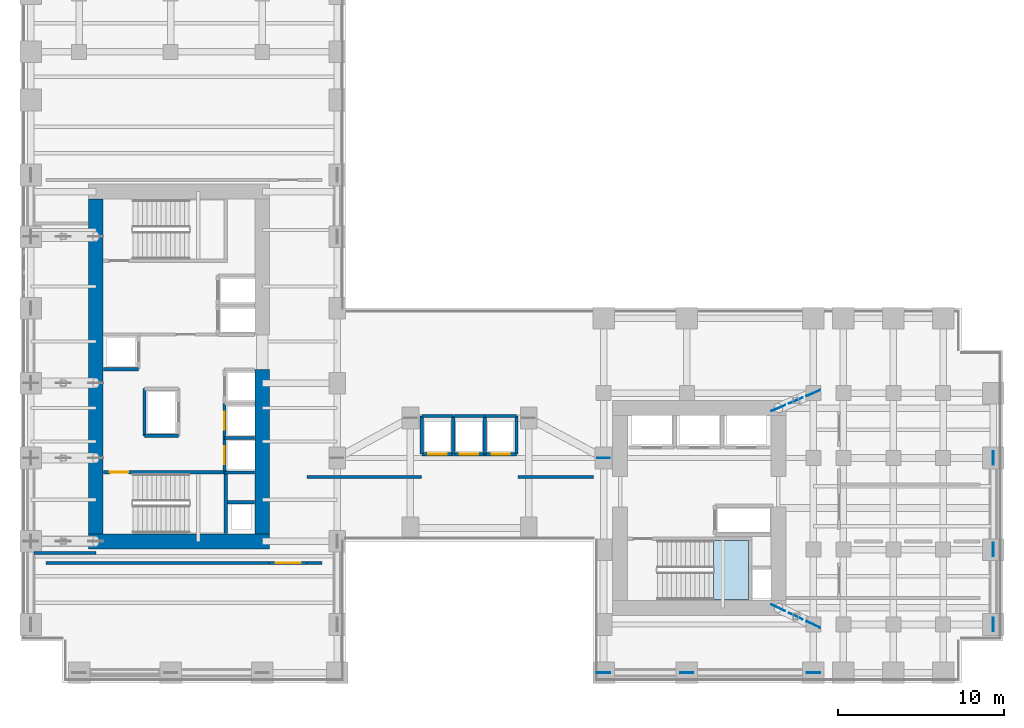
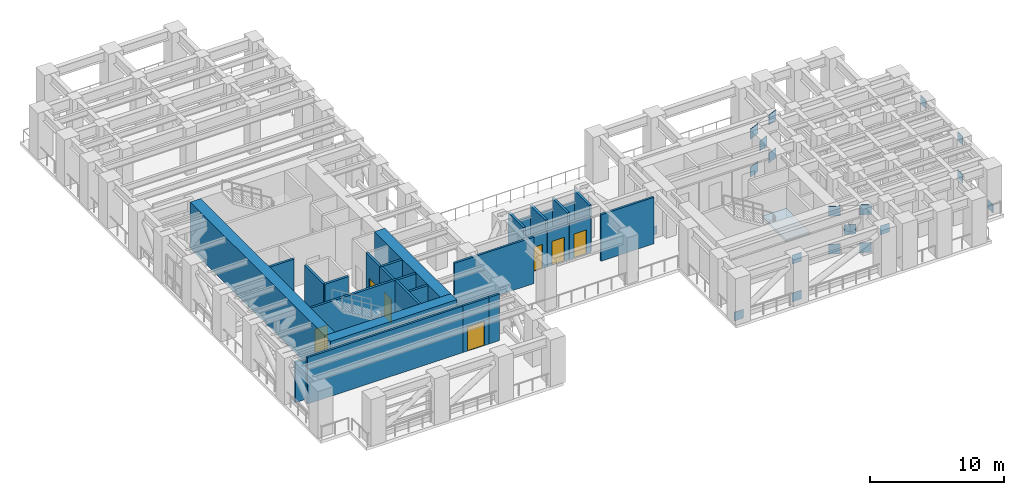
# One storey, part 9 of 16: 29 walls, 19 plates, 7 doors, 1 slab, 7 openings, 1 element without a shape of its own.
"""IFC4 building model written with IfcOpenShell, lengths in metres."""

import ifcopenshell
import ifcopenshell.guid

model = None  # the IFC model being written
_history = None  # IfcOwnerHistory: only IFC2X3 demands one
_inside = {}  # id of a spatial element -> (the spatial element, [elements in it])
_under = {}  # id of a project, library or spatial element -> (it, [spatial elements below it])
_declared = {}  # id of a project -> (the project, [libraries it declares])
_typed = {}  # id of a type object -> (the type object, [elements of that type])
_made_of = {}  # id of a material, layer set ... -> (it, [elements and type objects made of it])


def new_model(schema):
    """Start an empty IFC model of exactly this schema.

    Asked for "IFC4X3", IfcOpenShell would pick the latest addendum, in which some entities
    have other attributes; the version numbers below select the first issue.
    IFC2X3 requires an IfcOwnerHistory on every rooted entity: one is made here for all.
    """
    global model, _history
    if schema == "IFC4X3":
        model = ifcopenshell.file(schema_version=(4, 3, 0, 0))
    else:
        model = ifcopenshell.file(schema=schema)
    _inside.clear()
    _under.clear()
    _declared.clear()
    _typed.clear()
    _made_of.clear()
    _history = None
    if model.schema == "IFC2X3":
        org = make("IfcOrganization", Name="unknown")
        user = make(
            "IfcPersonAndOrganization",
            ThePerson=make("IfcPerson", FamilyName="unknown"),
            TheOrganization=org,
        )
        app = make(
            "IfcApplication",
            ApplicationDeveloper=org,
            Version="unknown",
            ApplicationFullName="unknown",
            ApplicationIdentifier="unknown",
        )
        _history = make(
            "IfcOwnerHistory",
            OwningUser=user,
            OwningApplication=app,
            ChangeAction="ADDED",
            CreationDate=0,
        )
    return model


def make(cls, **values):
    """One entity of the class cls with the attributes given. An attribute that is None is left unset."""
    return model.create_entity(
        cls, **{name: value for name, value in values.items() if value is not None}
    )


def rooted(cls, **values):
    """An entity with a GlobalId (a new one), such as an element, a storey or a relation."""
    return make(cls, GlobalId=ifcopenshell.guid.new(), OwnerHistory=_history, **values)


def si_unit(unit_type, name, prefix=None):
    """IfcSIUnit, for example si_unit("LENGTHUNIT", "METRE", prefix="MILLI")."""
    return make("IfcSIUnit", UnitType=unit_type, Prefix=prefix, Name=name)


def assignment(units):
    """IfcUnitAssignment: the units of a project."""
    return None if units is None else make("IfcUnitAssignment", Units=units)


def point(xyz):
    """IfcCartesianPoint."""
    return None if xyz is None else make("IfcCartesianPoint", Coordinates=xyz)


def direction(xyz):
    """IfcDirection."""
    return None if xyz is None else make("IfcDirection", DirectionRatios=xyz)


def frame(location, z_axis=None, x_axis=None):
    """IfcAxis2Placement3D, a coordinate frame: its origin and axes. An axis left out is left unset."""
    return make(
        "IfcAxis2Placement3D",
        Location=point(location),
        Axis=direction(z_axis),
        RefDirection=direction(x_axis),
    )


def frame_2d(location, x_axis=None):
    """IfcAxis2Placement2D, a coordinate frame in the plane: its origin and x axis."""
    return make(
        "IfcAxis2Placement2D", Location=point(location), RefDirection=direction(x_axis)
    )


def origin():
    """The frame at (0, 0, 0) with its axes left unset."""
    return frame((0.0, 0.0, 0.0))


def origin_2d():
    """The frame at (0, 0) in the plane with its x axis left unset."""
    return frame_2d((0.0, 0.0))


def place(relative_to, where):
    """IfcLocalPlacement: puts the frame where relative to a parent placement (None: the world)."""
    return make(
        "IfcLocalPlacement", PlacementRelTo=relative_to, RelativePlacement=where
    )


def context(
    kind, dimensions, precision=None, world=None, true_north=None, identifier=None
):
    """IfcGeometricRepresentationContext, for example the 3D "Model" context."""
    return make(
        "IfcGeometricRepresentationContext",
        ContextIdentifier=identifier,
        ContextType=kind,
        CoordinateSpaceDimension=dimensions,
        Precision=precision,
        WorldCoordinateSystem=world,
        TrueNorth=true_north,
    )


def subcontext(parent, identifier, kind, view, scale=None):
    """IfcGeometricRepresentationSubContext, for example "Body" below "Model"."""
    return make(
        "IfcGeometricRepresentationSubContext",
        ContextIdentifier=identifier,
        ContextType=kind,
        ParentContext=parent,
        TargetScale=scale,
        TargetView=view,
    )


def project(units=None, contexts=None):
    """IfcProject with its units and contexts."""
    return rooted(
        "IfcProject",
        Name="project",
        RepresentationContexts=contexts,
        UnitsInContext=assignment(units),
    )


def spatial(cls, under=None, at=None, **own):
    """A site, building, storey or space (cls), placed at a placement, below another one or the project."""
    s = rooted(cls, ObjectPlacement=at, **own)
    if under is not None:
        _under.setdefault(under.id(), (under, []))[1].append(s)
    return s


def polyline(points):
    """IfcPolyline through the points."""
    return make("IfcPolyline", Points=[point(p) for p in points])


def profile(cls, at=None, kind="AREA", **sizes):
    """A parametric profile (cls). Its sizes go by their IFC names, for example OverallWidth=200.0."""
    return make(cls, ProfileType=kind, Position=at, **sizes)


def rectangle(**sizes):
    """IfcRectangleProfileDef."""
    return profile("IfcRectangleProfileDef", **sizes)


def outline(outer, holes=None, kind="AREA"):
    """IfcArbitraryClosedProfileDef: a profile drawn as a closed curve; with holes, ...WithVoids."""
    if holes is None:
        return make("IfcArbitraryClosedProfileDef", ProfileType=kind, OuterCurve=outer)
    return make(
        "IfcArbitraryProfileDefWithVoids",
        ProfileType=kind,
        OuterCurve=outer,
        InnerCurves=holes,
    )


def extrude(swept, where, along, depth):
    """IfcExtrudedAreaSolid: the profile swept, set in the frame where, extruded along a direction by depth."""
    return make(
        "IfcExtrudedAreaSolid",
        SweptArea=swept,
        Position=where,
        ExtrudedDirection=direction(along),
        Depth=depth,
    )


def shape(context_of_items, identifier, shape_type, items):
    """IfcShapeRepresentation: the items that make up one representation, for example the "Body"."""
    return make(
        "IfcShapeRepresentation",
        ContextOfItems=context_of_items,
        RepresentationIdentifier=identifier,
        RepresentationType=shape_type,
        Items=items,
    )


def source(mapping_origin, context_of_items, identifier, shape_type, items):
    """IfcRepresentationMap: a shape defined once, which mapped items show again and again."""
    return make(
        "IfcRepresentationMap",
        MappingOrigin=mapping_origin,
        MappedRepresentation=shape(context_of_items, identifier, shape_type, items),
    )


def transform(
    local_origin,
    x_axis=None,
    y_axis=None,
    z_axis=None,
    scale=None,
    scale2=None,
    scale3=None,
    uniform=True,
):
    """IfcCartesianTransformationOperator3D, or its non-uniform kind. x_axis, y_axis, z_axis: its Axis1, 2, 3."""
    if uniform:
        return make(
            "IfcCartesianTransformationOperator3D",
            Axis1=direction(x_axis),
            Axis2=direction(y_axis),
            LocalOrigin=point(local_origin),
            Scale=scale,
            Axis3=direction(z_axis),
        )
    return make(
        "IfcCartesianTransformationOperator3DnonUniform",
        Axis1=direction(x_axis),
        Axis2=direction(y_axis),
        LocalOrigin=point(local_origin),
        Scale=scale,
        Axis3=direction(z_axis),
        Scale2=scale2,
        Scale3=scale3,
    )


def mapped(mapping_source, mapping_target):
    """IfcMappedItem: shows the shape of a source again, moved by a transform."""
    return make(
        "IfcMappedItem", MappingSource=mapping_source, MappingTarget=mapping_target
    )


def material(Name=None, Category=None):
    """IfcMaterial."""
    return make("IfcMaterial", Name=Name, Category=Category)


def layer(
    of_material, thickness, ventilated=None, Name=None, Category=None, Priority=None
):
    """IfcMaterialLayer: one layer of a wall or slab, of a material (None: an air gap)."""
    return make(
        "IfcMaterialLayer",
        Material=of_material,
        LayerThickness=thickness,
        IsVentilated=ventilated,
        Name=Name,
        Category=Category,
        Priority=Priority,
    )


def layer_set(layers, Name=None):
    """IfcMaterialLayerSet."""
    return make("IfcMaterialLayerSet", MaterialLayers=layers, LayerSetName=Name)


def made_of(thing, what):
    """Note that an element or type object is made of a material, layer set ...; save() writes the relation."""
    if what is not None:
        _made_of.setdefault(what.id(), (what, []))[1].append(thing)
    return thing


def type_object(cls, material=None, **own):
    """A type object (cls), such as IfcWallType, which elements share."""
    return made_of(rooted(cls, **own), material)


def element(
    cls,
    number,
    at=None,
    inside=None,
    cuts=None,
    type_object=None,
    material=None,
    context=None,
    identifier="Body",
    shape_type=None,
    held_by="IfcProductDefinitionShape",
    body=None,
    shapes=None,
    **own,
):
    """One element of the class cls, such as IfcWall. Its Tag is "e" and its number.

    at: its placement. inside: the storey or other place that contains it. cuts: it is an
    opening in that element (IfcRelVoidsElement). A single representation is given by context,
    identifier, shape_type and body (its items); several are given by shapes. held_by: the class
    of the entity that holds the representations. save() writes the other relations.
    """
    e = rooted(cls, Tag="e%d" % number, ObjectPlacement=at, **own)
    if body is not None:
        shapes = [shape(context, identifier, shape_type, body)]
    if shapes is not None:
        e.Representation = make(held_by, Representations=shapes)
    if inside is not None:
        _inside.setdefault(inside.id(), (inside, []))[1].append(e)
    if cuts is not None:
        rooted(
            "IfcRelVoidsElement", RelatingBuildingElement=cuts, RelatedOpeningElement=e
        )
    if type_object is not None:
        _typed.setdefault(type_object.id(), (type_object, []))[1].append(e)
    return made_of(e, material)


def fill(opening, filler):
    """IfcRelFillsElement: the door or window that sits in an opening."""
    return rooted(
        "IfcRelFillsElement",
        RelatingOpeningElement=opening,
        RelatedBuildingElement=filler,
    )


def aggregate(whole, parts):
    """IfcRelAggregates: a whole, such as a stair, and the parts it consists of."""
    return rooted("IfcRelAggregates", RelatingObject=whole, RelatedObjects=parts)


def save(model, path):
    """Write the relations noted so far, then the file.

    IfcRelAggregates (storeys below a building ...), IfcRelContainedInSpatialStructure (elements
    in a storey), IfcRelDefinesByType, IfcRelAssociatesMaterial and IfcRelDeclares: one each for
    every whole, place, type object, material and project.
    """
    for whole, parts in _under.values():
        aggregate(whole, parts)
    for where, things in _inside.values():
        rooted(
            "IfcRelContainedInSpatialStructure",
            RelatedElements=things,
            RelatingStructure=where,
        )
    for kind, things in _typed.values():
        rooted("IfcRelDefinesByType", RelatedObjects=things, RelatingType=kind)
    for what, things in _made_of.values():
        rooted("IfcRelAssociatesMaterial", RelatedObjects=things, RelatingMaterial=what)
    for by, libraries in _declared.values():
        rooted("IfcRelDeclares", RelatingContext=by, RelatedDefinitions=libraries)
    model.write(path)


model = new_model("IFC4")

# Units and contexts
model_context = context("Model", 3, precision=1e-05, world=origin(), true_north=direction((0.0, 1.0)))
body_context = subcontext(model_context, "Body", "Model", "MODEL_VIEW")
ifc_project = project(units=[si_unit("LENGTHUNIT", "METRE"), si_unit("AREAUNIT", "SQUARE_METRE"), si_unit("VOLUMEUNIT", "CUBIC_METRE"), si_unit("PLANEANGLEUNIT", "RADIAN"), si_unit("MASSUNIT", "GRAM", prefix="KILO")], contexts=[model_context])

# Site, building, storey
site_placement = place(None, origin())
site = spatial("IfcSite", under=ifc_project, at=site_placement, CompositionType="ELEMENT")
building_placement = place(site_placement, origin())
building = spatial("IfcBuilding", under=site, at=building_placement, Name="Kharzan Plaza Tower", CompositionType="ELEMENT")
storey_placement = place(building_placement, frame((0.0, 0.0, 72.89990234375)))
storey = spatial("IfcBuildingStorey", under=building, at=storey_placement, Name="L19", CompositionType="ELEMENT", Elevation=72.89990234375)

# Stair, slab
ifc_material_1 = material(Name="Concrete C40/50", Category="concrete")
stair_type = type_object("IfcStairType", Name="STR-ST-3", PredefinedType="HALF_TURN_STAIR", material=ifc_material_1)
stair_placement = place(storey_placement, origin())
stair = element("IfcStair", 1, at=stair_placement, inside=storey, type_object=stair_type, Name="L19 Protected Exit Stair ST-3", PredefinedType="HALF_TURN_STAIR")
ifc_layer_1 = layer(ifc_material_1, 0.219970703125)
ifc_layer_set_1 = layer_set([ifc_layer_1], Name="Concrete C40/50")
slab_type = type_object("IfcSlabType", Name="SL-LANDING-220", PredefinedType="LANDING", material=ifc_layer_set_1)
slab_placement = place(storey_placement, frame((0.0, 0.0, 2.050048828125)))
slab = element("IfcSlab", 2, at=slab_placement, type_object=slab_type, Name="ST-3 landing 1", PredefinedType="LANDING", context=body_context, shape_type="SweptSolid", body=[
    extrude(outline(polyline([(41.610107421875, 5.0), (43.699951171875, 5.0), (43.699951171875, 8.550048828125), (41.610107421875, 8.550048828125), (41.610107421875, 5.0)])), origin(), (0.0, 0.0, 1.0), 0.199951171875),
])
aggregate(stair, [slab])

# Plates
ifc_material_2 = material(Name="Steel S460", Category="steel")
ifc_layer_2 = layer(ifc_material_2, 0.0400390625)
ifc_layer_set_2 = layer_set([ifc_layer_2], Name="Steel S460")
plate_type_1 = type_object("IfcPlateType", Name="PLT-BTN1", PredefinedType="USERDEFINED", material=ifc_layer_set_2)
shared_shape_1 = source(origin(), body_context, "Body", "SweptSolid", [
    extrude(rectangle(XDim=0.800048828125, YDim=0.0400390625, at=origin_2d()), origin(), (0.0, 0.0, 1.0), 0.800048828125),
])
for number, where, z_axis, x_axis, name in (
    (3, (58.39990234375, 3.5, -0.0498046875), (0.0, 0.0, 1.0), (0.0, 1.0, 0.0), "L19 Belt Truss Node Gusset Plate BTN1-BTE-1"),
    (4, (58.39990234375, 8.0, 3.41015625), (0.0, 0.0, 1.0), (0.0, 1.0, 0.0), "L19 Belt Truss Node Gusset Plate BTN1-T-BTE-1"),
    (5, (58.39990234375, 8.0, -0.0498046875), (0.0, 0.0, 1.0), (0.0, 1.0, 0.0), "L19 Belt Truss Node Gusset Plate BTN1-BTE-2"),
    (6, (58.39990234375, 13.5, 3.41015625), (0.0, 0.0, 1.0), (0.0, 1.0, 0.0), "L19 Belt Truss Node Gusset Plate BTN1-T-BTE-2"),
    (7, (35.0, 0.60009765625, -0.0498046875), (0.0, 0.0, 1.0), (1.0, 0.0, 0.0), "L19 Belt Truss Node Gusset Plate BTN1-BTS-3"),
    (8, (40.0, 0.60009765625, 3.41015625), (0.0, 0.0, 1.0), (1.0, 0.0, 0.0), "L19 Belt Truss Node Gusset Plate BTN1-T-BTS-3"),
    (9, (40.0, 0.60009765625, -0.0498046875), (0.0, 0.0, 1.0), (1.0, 0.0, 0.0), "L19 Belt Truss Node Gusset Plate BTN1-BTS-4"),
    (10, (47.60009765625, 0.60009765625, 3.41015625), (0.0, 0.0, 1.0), (1.0, 0.0, 0.0), "L19 Belt Truss Node Gusset Plate BTN1-T-BTS-4"),
):
    element("IfcPlate", number, at=place(storey_placement, frame(where, z_axis=z_axis, x_axis=x_axis)), inside=storey, type_object=plate_type_1, Name=name, ObjectType="GUSSET_PLATE", PredefinedType="USERDEFINED", context=body_context, shape_type="MappedRepresentation", body=[
        mapped(shared_shape_1, transform((0.0, 0.0, 0.0), x_axis=(1.0, 0.0, 0.0), y_axis=(0.0, 1.0, 0.0), z_axis=(0.0, 0.0, 1.0))),
    ])
ifc_layer_3 = layer(ifc_material_2, 0.044921875)
ifc_layer_set_3 = layer_set([ifc_layer_3], Name="Steel S460")
plate_type_2 = type_object("IfcPlateType", Name="PLT-OTN1", PredefinedType="USERDEFINED", material=ifc_layer_set_3)
shared_shape_2 = source(origin(), body_context, "Body", "SweptSolid", [
    extrude(rectangle(XDim=0.89990234375, YDim=0.044921875, at=origin_2d()), origin(), (0.0, 0.0, 1.0), 0.89990234375),
])
for number, where, z_axis, x_axis, name in (
    (11, (45.5, 4.5, -0.099853515625), (0.0, 0.0, 1.0), (0.902860856957, -0.429932870312, 0.0), "L19 Outrigger Truss Gusset Node Plate OTN1-OTB-E1"),
    (12, (47.60009765625, 3.5, -0.099853515625), (0.0, 0.0, 1.0), (0.902860856957, -0.429932870312, 0.0), "L19 Outrigger Truss Gusset Node Plate OTN1-CB-OTB-E1"),
    (13, (47.60009765625, 3.5, 3.360107421875), (0.0, 0.0, 1.0), (0.902860856957, -0.429932870312, 0.0), "L19 Outrigger Truss Gusset Node Plate OTN1-CT-OTB-E1"),
    (14, (46.550048828125, 4.0, 1.630126953125), (0.0, 0.0, 1.0), (0.902860856957, -0.429932870312, 0.0), "L19 Outrigger Truss Gusset Node Plate OTN1-M-OTB-E1"),
    (15, (45.5, 4.5, 3.360107421875), (0.0, 0.0, 1.0), (0.902860856957, -0.429932870312, 0.0), "L19 Outrigger Truss Gusset Node Plate OTN1-T-OTB-E1"),
    (16, (45.5, 16.5, -0.099853515625), (0.0, 0.0, 1.0), (0.919144964798, 0.39391945076, 0.0), "L19 Outrigger Truss Gusset Node Plate OTN1-OTB-E2"),
    (17, (47.60009765625, 17.39990234375, -0.099853515625), (0.0, 0.0, 1.0), (0.919144964798, 0.39391945076, 0.0), "L19 Outrigger Truss Gusset Node Plate OTN1-CB-OTB-E2"),
    (18, (47.60009765625, 17.39990234375, 3.360107421875), (0.0, 0.0, 1.0), (0.919144964798, 0.39391945076, 0.0), "L19 Outrigger Truss Gusset Node Plate OTN1-CT-OTB-E2"),
    (19, (46.550048828125, 16.949951171875, 1.630126953125), (0.0, 0.0, 1.0), (0.919144964798, 0.39391945076, 0.0), "L19 Outrigger Truss Gusset Node Plate OTN1-M-OTB-E2"),
    (20, (45.5, 16.5, 3.360107421875), (0.0, 0.0, 1.0), (0.919144964798, 0.39391945076, 0.0), "L19 Outrigger Truss Gusset Node Plate OTN1-T-OTB-E2"),
):
    element("IfcPlate", number, at=place(storey_placement, frame(where, z_axis=z_axis, x_axis=x_axis)), inside=storey, type_object=plate_type_2, Name=name, ObjectType="GUSSET_PLATE", PredefinedType="USERDEFINED", context=body_context, shape_type="MappedRepresentation", body=[
        mapped(shared_shape_2, transform((0.0, 0.0, 0.0), x_axis=(1.0, 0.0, 0.0), y_axis=(0.0, 1.0, 0.0), z_axis=(0.0, 0.0, 1.0))),
    ])
ifc_layer_4 = layer(ifc_material_2, 0.0380859375)
ifc_layer_set_4 = layer_set([ifc_layer_4], Name="Steel S460")
plate_type_3 = type_object("IfcPlateType", Name="PLT-WPN1", PredefinedType="USERDEFINED", material=ifc_layer_set_4)
shared_shape_3 = source(origin(), body_context, "Body", "SweptSolid", [
    extrude(rectangle(XDim=0.75, YDim=0.0380859375, at=origin_2d()), origin(), (0.0, 0.0, 1.0), 0.75),
])
plate_placement = place(storey_placement, frame((35.0, 13.5, -0.1748046875), z_axis=(0.0, 0.0, 1.0), x_axis=(1.0, 0.0, 0.0)))
element("IfcPlate", 21, at=plate_placement, inside=storey, type_object=plate_type_3, Name="L19 Wind Portal Node Gusset Plate WPN1-EB", ObjectType="GUSSET_PLATE", PredefinedType="USERDEFINED", context=body_context, shape_type="MappedRepresentation", body=[
    mapped(shared_shape_3, transform((0.0, 0.0, 0.0), x_axis=(1.0, 0.0, 0.0), y_axis=(0.0, 1.0, 0.0), z_axis=(0.0, 0.0, 1.0))),
])

# Wall, opening, door
ifc_layer_5 = layer(ifc_material_1, 0.179931640625)
ifc_layer_set_5 = layer_set([ifc_layer_5], Name="Concrete C40/50")
wall_type_1 = type_object("IfcWallType", Name="WL-INT-FIRE-180", PredefinedType="PARTITIONING", material=ifc_layer_set_5)
wall_1_placement = place(storey_placement, frame((14.919921875, 7.199951171875, 0.0), z_axis=(0.0, 0.0, 1.0), x_axis=(1.0, 0.0, 0.0)))
wall_1 = element("IfcWall", 22, at=wall_1_placement, inside=storey, type_object=wall_type_1, Name="L19 Interior Partition MR-AHUD", PredefinedType="PARTITIONING", context=body_context, shape_type="SweptSolid", body=[
    extrude(rectangle(XDim=2.280029296875, YDim=0.179931640625, at=frame_2d((1.14013671875, 0.0))), origin(), (0.0, 0.0, 1.0), 4.2451171875),
])
opening_1_placement = place(wall_1_placement, frame((0.389892578125, 0.0, 0.0)))
opening_1 = element("IfcOpeningElement", 23, at=opening_1_placement, cuts=wall_1, Name="Opening PD1", PredefinedType="OPENING", context=body_context, shape_type="SweptSolid", body=[
    extrude(rectangle(XDim=1.5, YDim=2.199951171875, at=frame_2d((0.75, 1.10009765625))), frame((0.0, 0.099853515625, 0.0), z_axis=(0.0, -1.0, 0.0), x_axis=(1.0, 0.0, 0.0)), (0.0, 0.0, 1.0), 0.199951171875),
])
ifc_material_3 = material(Name="Galvanized Louvred Acoustic Steel", Category="steel")
door_type_1 = type_object("IfcDoorType", Name="DR-PLANT-DBL", OperationType="DOUBLE_DOOR_SINGLE_SWING", PredefinedType="DOOR", material=ifc_material_3)
shared_shape_4 = source(origin(), body_context, "Body", "SweptSolid", [
    extrude(rectangle(XDim=1.5, YDim=2.199951171875, at=frame_2d((0.75, 1.10009765625))), frame((0.0, 0.02490234375, 0.0), z_axis=(0.0, -1.0, 0.0), x_axis=(1.0, 0.0, 0.0)), (0.0, 0.0, 1.0), 0.050048828125),
])
door_1_placement = place(opening_1_placement, origin())
door_1 = element("IfcDoor", 24, at=door_1_placement, inside=storey, type_object=door_type_1, Name="L19 AHU Plant Double Door", OperationType="DOUBLE_DOOR_SINGLE_SWING", OverallHeight=2.199951171875, OverallWidth=1.5, PredefinedType="DOOR", context=body_context, shape_type="MappedRepresentation", body=[
    mapped(shared_shape_4, transform((0.0, 0.0, 0.0), x_axis=(1.0, 0.0, 0.0), y_axis=(0.0, 1.0, 0.0), z_axis=(0.0, 0.0, 1.0))),
])
fill(opening_1, door_1)

ifc_layer_6 = layer(ifc_material_1, 0.199951171875)
ifc_layer_set_6 = layer_set([ifc_layer_6], Name="Concrete C40/50")
wall_type_2 = type_object("IfcWallType", Name="WL-INT-SHAFT-200", PredefinedType="PARTITIONING", material=ifc_layer_set_6)
wall_2_placement = place(storey_placement, frame((12.22998046875, 12.6298828125, 0.0), z_axis=(0.0, 0.0, 1.0), x_axis=(0.0, 1.0, 0.0)))
wall_2 = element("IfcWall", 25, at=wall_2_placement, inside=storey, type_object=wall_type_2, Name="L19 Interior Partition SHF-PL-H1-W", PredefinedType="PARTITIONING", context=body_context, shape_type="SweptSolid", body=[
    extrude(rectangle(XDim=2.070068359375, YDim=0.199951171875, at=frame_2d((1.03515625, 0.0))), origin(), (0.0, 0.0, 1.0), 4.2451171875),
])
opening_2_placement = place(wall_2_placement, frame((0.485107421875, 0.0, 0.0)))
opening_2 = element("IfcOpeningElement", 26, at=opening_2_placement, cuts=wall_2, Name="Opening LD", PredefinedType="OPENING", context=body_context, shape_type="SweptSolid", body=[
    extrude(rectangle(XDim=1.10009765625, YDim=2.199951171875, at=frame_2d((0.550048828125, 1.10009765625))), frame((0.0, 0.10986328125, 0.0), z_axis=(0.0, -1.0, 0.0), x_axis=(1.0, 0.0, 0.0)), (0.0, 0.0, 1.0), 0.219970703125),
])
ifc_material_4 = material(Name="Brushed Stainless Steel", Category="steel")
door_type_2 = type_object("IfcDoorType", Name="DR-LIFT-SLIDE", OperationType="SLIDING_TO_LEFT", PredefinedType="DOOR", material=ifc_material_4)
shared_shape_5 = source(origin(), body_context, "Body", "SweptSolid", [
    extrude(rectangle(XDim=1.10009765625, YDim=2.199951171875, at=frame_2d((0.550048828125, 1.10009765625))), frame((0.0, 0.02490234375, 0.0), z_axis=(0.0, -1.0, 0.0), x_axis=(1.0, 0.0, 0.0)), (0.0, 0.0, 1.0), 0.050048828125),
])
door_2_placement = place(opening_2_placement, origin())
door_2 = element("IfcDoor", 27, at=door_2_placement, inside=storey, type_object=door_type_2, Name="L19 High-Rise Passenger Lift PL-H1 Sliding Landing Door", OperationType="SLIDING_TO_LEFT", OverallHeight=2.199951171875, OverallWidth=1.10009765625, PredefinedType="DOOR", context=body_context, shape_type="MappedRepresentation", body=[
    mapped(shared_shape_5, transform((0.0, 0.0, 0.0), x_axis=(1.0, 0.0, 0.0), y_axis=(0.0, 1.0, 0.0), z_axis=(0.0, 0.0, 1.0))),
])
fill(opening_2, door_2)

wall_3_placement = place(storey_placement, frame((12.22998046875, 14.699951171875, 0.0), z_axis=(0.0, 0.0, 1.0), x_axis=(0.0, 1.0, 0.0)))
wall_3 = element("IfcWall", 28, at=wall_3_placement, inside=storey, type_object=wall_type_2, Name="L19 Interior Partition SHF-PL-H2-W", PredefinedType="PARTITIONING", context=body_context, shape_type="SweptSolid", body=[
    extrude(rectangle(XDim=2.070068359375, YDim=0.199951171875, at=frame_2d((1.03515625, 0.0))), origin(), (0.0, 0.0, 1.0), 4.2451171875),
])
opening_3_placement = place(wall_3_placement, frame((0.485107421875, 0.0, 0.0)))
opening_3 = element("IfcOpeningElement", 29, at=opening_3_placement, cuts=wall_3, Name="Opening LD", PredefinedType="OPENING", context=body_context, shape_type="SweptSolid", body=[
    extrude(rectangle(XDim=1.10009765625, YDim=2.199951171875, at=frame_2d((0.550048828125, 1.10009765625))), frame((0.0, 0.10986328125, 0.0), z_axis=(0.0, -1.0, 0.0), x_axis=(1.0, 0.0, 0.0)), (0.0, 0.0, 1.0), 0.219970703125),
])
door_3_placement = place(opening_3_placement, origin())
door_3 = element("IfcDoor", 30, at=door_3_placement, inside=storey, type_object=door_type_2, Name="L19 High-Rise Passenger Lift PL-H2 Sliding Landing Door", OperationType="SLIDING_TO_LEFT", OverallHeight=2.199951171875, OverallWidth=1.10009765625, PredefinedType="DOOR", context=body_context, shape_type="MappedRepresentation", body=[
    mapped(shared_shape_5, transform((0.0, 0.0, 0.0), x_axis=(1.0, 0.0, 0.0), y_axis=(0.0, 1.0, 0.0), z_axis=(0.0, 0.0, 1.0))),
])
fill(opening_3, door_3)

wall_4_placement = place(storey_placement, frame((24.080078125, 13.72998046875, 0.0), z_axis=(0.0, 0.0, 1.0), x_axis=(1.0, 0.0, 0.0)))
wall_4 = element("IfcWall", 31, at=wall_4_placement, inside=storey, type_object=wall_type_2, Name="L19 Interior Partition SHF-PL-M1-S", PredefinedType="PARTITIONING", context=body_context, shape_type="SweptSolid", body=[
    extrude(rectangle(XDim=1.889892578125, YDim=0.199951171875, at=frame_2d((0.94482421875, 0.0))), origin(), (0.0, 0.0, 1.0), 3.326171875),
])
opening_4_placement = place(wall_4_placement, frame((0.39501953125, 0.0, 0.0)))
opening_4 = element("IfcOpeningElement", 32, at=opening_4_placement, cuts=wall_4, Name="Opening LD", PredefinedType="OPENING", context=body_context, shape_type="SweptSolid", body=[
    extrude(rectangle(XDim=1.10009765625, YDim=2.199951171875, at=frame_2d((0.550048828125, 1.10009765625))), frame((0.0, 0.10986328125, 0.0), z_axis=(0.0, -1.0, 0.0), x_axis=(1.0, 0.0, 0.0)), (0.0, 0.0, 1.0), 0.219970703125),
])
door_4_placement = place(opening_4_placement, origin())
door_4 = element("IfcDoor", 33, at=door_4_placement, inside=storey, type_object=door_type_2, Name="L19 Mid-Rise Passenger Lift PL-M1 Sliding Landing Door", OperationType="SLIDING_TO_LEFT", OverallHeight=2.199951171875, OverallWidth=1.10009765625, PredefinedType="DOOR", context=body_context, shape_type="MappedRepresentation", body=[
    mapped(shared_shape_5, transform((0.0, 0.0, 0.0), x_axis=(1.0, 0.0, 0.0), y_axis=(0.0, 1.0, 0.0), z_axis=(0.0, 0.0, 1.0))),
])
fill(opening_4, door_4)

wall_5_placement = place(storey_placement, frame((25.97998046875, 13.72998046875, 0.0), z_axis=(0.0, 0.0, 1.0), x_axis=(1.0, 0.0, 0.0)))
wall_5 = element("IfcWall", 34, at=wall_5_placement, inside=storey, type_object=wall_type_2, Name="L19 Interior Partition SHF-PL-M2-S", PredefinedType="PARTITIONING", context=body_context, shape_type="SweptSolid", body=[
    extrude(rectangle(XDim=1.89013671875, YDim=0.199951171875, at=frame_2d((0.945068359375, 0.0))), origin(), (0.0, 0.0, 1.0), 3.326171875),
])
opening_5_placement = place(wall_5_placement, frame((0.39501953125, 0.0, 0.0)))
opening_5 = element("IfcOpeningElement", 35, at=opening_5_placement, cuts=wall_5, Name="Opening LD", PredefinedType="OPENING", context=body_context, shape_type="SweptSolid", body=[
    extrude(rectangle(XDim=1.10009765625, YDim=2.199951171875, at=frame_2d((0.550048828125, 1.10009765625))), frame((0.0, 0.10986328125, 0.0), z_axis=(0.0, -1.0, 0.0), x_axis=(1.0, 0.0, 0.0)), (0.0, 0.0, 1.0), 0.219970703125),
])
door_5_placement = place(opening_5_placement, origin())
door_5 = element("IfcDoor", 36, at=door_5_placement, inside=storey, type_object=door_type_2, Name="L19 Mid-Rise Passenger Lift PL-M2 Sliding Landing Door", OperationType="SLIDING_TO_LEFT", OverallHeight=2.199951171875, OverallWidth=1.10009765625, PredefinedType="DOOR", context=body_context, shape_type="MappedRepresentation", body=[
    mapped(shared_shape_5, transform((0.0, 0.0, 0.0), x_axis=(1.0, 0.0, 0.0), y_axis=(0.0, 1.0, 0.0), z_axis=(0.0, 0.0, 1.0))),
])
fill(opening_5, door_5)

wall_6_placement = place(storey_placement, frame((27.8798828125, 13.72998046875, 0.0), z_axis=(0.0, 0.0, 1.0), x_axis=(1.0, 0.0, 0.0)))
wall_6 = element("IfcWall", 37, at=wall_6_placement, inside=storey, type_object=wall_type_2, Name="L19 Interior Partition SHF-PL-M3-S", PredefinedType="PARTITIONING", context=body_context, shape_type="SweptSolid", body=[
    extrude(rectangle(XDim=1.89013671875, YDim=0.199951171875, at=frame_2d((0.945068359375, 0.0))), origin(), (0.0, 0.0, 1.0), 3.326171875),
])
opening_6_placement = place(wall_6_placement, frame((0.39501953125, 0.0, 0.0)))
opening_6 = element("IfcOpeningElement", 38, at=opening_6_placement, cuts=wall_6, Name="Opening LD", PredefinedType="OPENING", context=body_context, shape_type="SweptSolid", body=[
    extrude(rectangle(XDim=1.10009765625, YDim=2.199951171875, at=frame_2d((0.550048828125, 1.10009765625))), frame((0.0, 0.10986328125, 0.0), z_axis=(0.0, -1.0, 0.0), x_axis=(1.0, 0.0, 0.0)), (0.0, 0.0, 1.0), 0.219970703125),
])
door_6_placement = place(opening_6_placement, origin())
door_6 = element("IfcDoor", 39, at=door_6_placement, inside=storey, type_object=door_type_2, Name="L19 Mid-Rise Passenger Lift PL-M3 Sliding Landing Door", OperationType="SLIDING_TO_LEFT", OverallHeight=2.199951171875, OverallWidth=1.10009765625, PredefinedType="DOOR", context=body_context, shape_type="MappedRepresentation", body=[
    mapped(shared_shape_5, transform((0.0, 0.0, 0.0), x_axis=(1.0, 0.0, 0.0), y_axis=(0.0, 1.0, 0.0), z_axis=(0.0, 0.0, 1.0))),
])
fill(opening_6, door_6)

ifc_material_5 = material(Name="Concrete C50/60", Category="concrete")
ifc_layer_7 = layer(ifc_material_5, 0.199951171875)
ifc_layer_set_7 = layer_set([ifc_layer_7], Name="Concrete C50/60")
wall_type_3 = type_object("IfcWallType", Name="WL-SHAFT-RC200", PredefinedType="SHEAR", material=ifc_layer_set_7)
wall_7_placement = place(storey_placement, frame((4.951904296875, 12.655029296875, 0.0), z_axis=(0.0, 0.0, 1.0), x_axis=(1.0, 0.0, 0.0)))
wall_7 = element("IfcWall", 40, at=wall_7_placement, inside=storey, type_object=wall_type_3, Name="L19 Stair ST-1 North RC Shaft Wall", PredefinedType="SHEAR", context=body_context, shape_type="SweptSolid", body=[
    extrude(rectangle(XDim=7.453125, YDim=0.199951171875, at=frame_2d((3.7265625, 0.0))), origin(), (0.0, 0.0, 1.0), 4.260009765625),
])
opening_7_placement = place(wall_7_placement, frame((0.39990234375, 0.0, 0.0)))
opening_7 = element("IfcOpeningElement", 41, at=opening_7_placement, cuts=wall_7, Name="Opening SD1", PredefinedType="OPENING", context=body_context, shape_type="SweptSolid", body=[
    extrude(rectangle(XDim=1.10009765625, YDim=2.14990234375, at=frame_2d((0.550048828125, 1.074951171875))), frame((0.0, 0.10986328125, 0.0), z_axis=(0.0, -1.0, 0.0), x_axis=(1.0, 0.0, 0.0)), (0.0, 0.0, 1.0), 0.219970703125),
])
ifc_material_6 = material(Name="Fire-Rated Hollow Galvanized Steel", Category="steel")
door_type_3 = type_object("IfcDoorType", Name="DR-STAIR-FD120", OperationType="NOTDEFINED", PredefinedType="DOOR", material=ifc_material_6)
shared_shape_6 = source(origin(), body_context, "Body", "SweptSolid", [
    extrude(rectangle(XDim=1.10009765625, YDim=2.14990234375, at=frame_2d((0.550048828125, 1.074951171875))), frame((0.0, 0.02490234375, 0.0), z_axis=(0.0, -1.0, 0.0), x_axis=(1.0, 0.0, 0.0)), (0.0, 0.0, 1.0), 0.050048828125),
])
door_7_placement = place(opening_7_placement, origin())
door_7 = element("IfcDoor", 42, at=door_7_placement, inside=storey, type_object=door_type_3, Name="L19 Stair ST-1 Fire Exit Door", OperationType="SINGLE_SWING_LEFT", OverallHeight=2.14990234375, OverallWidth=1.10009765625, PredefinedType="DOOR", context=body_context, shape_type="MappedRepresentation", body=[
    mapped(shared_shape_6, transform((0.0, 0.0, 0.0), x_axis=(1.0, 0.0, 0.0), y_axis=(0.0, 1.0, 0.0), z_axis=(0.0, 0.0, 1.0))),
])
fill(opening_7, door_7)

# Walls
ifc_material_7 = material(Name="Concrete C60/75", Category="concrete")
ifc_layer_8 = layer(ifc_material_7, 0.89990234375)
ifc_layer_set_8 = layer_set([ifc_layer_8], Name="Concrete C60/75")
wall_type_4 = type_object("IfcWallType", Name="WL-CORE-900", PredefinedType="SHEAR", material=ifc_layer_set_8)
shared_shape_7 = source(origin(), body_context, "Body", "SweptSolid", [
    extrude(rectangle(XDim=9.8701171875, YDim=0.89990234375, at=frame_2d((4.93505859375, 0.0))), origin(), (0.0, 0.0, 1.0), 4.260009765625),
])
wall_8_placement = place(storey_placement, frame((14.5, 8.949951171875, 0.0), z_axis=(0.0, 0.0, 1.0), x_axis=(0.0, 1.0, 0.0)))
element("IfcWall", 43, at=wall_8_placement, inside=storey, type_object=wall_type_4, Name="L19 CORE-A east shear pier 1", PredefinedType="SHEAR", context=body_context, shape_type="MappedRepresentation", body=[
    mapped(shared_shape_7, transform((0.0, 0.0, 0.0), x_axis=(1.0, 0.0, 0.0), y_axis=(0.0, 1.0, 0.0), z_axis=(0.0, 0.0, 1.0))),
])
shared_shape_8 = source(origin(), body_context, "Body", "SweptSolid", [
    extrude(rectangle(XDim=10.89990234375, YDim=0.89990234375, at=frame_2d((5.449951171875, 0.0))), origin(), (0.0, 0.0, 1.0), 4.260009765625),
])
wall_9_placement = place(storey_placement, frame((4.050048828125, 8.5, 0.0), z_axis=(0.0, 0.0, 1.0), x_axis=(1.0, 0.0, 0.0)))
element("IfcWall", 44, at=wall_9_placement, inside=storey, type_object=wall_type_4, Name="L19 CORE-A south RC shear wall", PredefinedType="SHEAR", context=body_context, shape_type="MappedRepresentation", body=[
    mapped(shared_shape_8, transform((0.0, 0.0, 0.0), x_axis=(1.0, 0.0, 0.0), y_axis=(0.0, 1.0, 0.0), z_axis=(0.0, 0.0, 1.0))),
])
shared_shape_9 = source(origin(), body_context, "Body", "SweptSolid", [
    extrude(rectangle(XDim=20.10009765625, YDim=0.89990234375, at=frame_2d((10.050048828125, 0.0))), origin(), (0.0, 0.0, 1.0), 4.260009765625),
])
wall_10_placement = place(storey_placement, frame((4.5, 8.949951171875, 0.0), z_axis=(0.0, 0.0, 1.0), x_axis=(0.0, 1.0, 0.0)))
element("IfcWall", 45, at=wall_10_placement, inside=storey, type_object=wall_type_4, Name="L19 CORE-A west RC shear wall", PredefinedType="SHEAR", context=body_context, shape_type="MappedRepresentation", body=[
    mapped(shared_shape_9, transform((0.0, 0.0, 0.0), x_axis=(1.0, 0.0, 0.0), y_axis=(0.0, 1.0, 0.0), z_axis=(0.0, 0.0, 1.0))),
])
shared_shape_10 = source(origin(), body_context, "Body", "SweptSolid", [
    extrude(rectangle(XDim=13.419921875, YDim=0.179931640625, at=frame_2d((6.7099609375, 0.0))), origin(), (0.0, 0.0, 1.0), 4.2451171875),
])
wall_11_placement = place(storey_placement, frame((1.5, 7.199951171875, 0.0), z_axis=(0.0, 0.0, 1.0), x_axis=(1.0, 0.0, 0.0)))
element("IfcWall", 46, at=wall_11_placement, inside=storey, type_object=wall_type_1, Name="L19 Interior Partition MR-AHUW", PredefinedType="PARTITIONING", context=body_context, shape_type="MappedRepresentation", body=[
    mapped(shared_shape_10, transform((0.0, 0.0, 0.0), x_axis=(1.0, 0.0, 0.0), y_axis=(0.0, 1.0, 0.0), z_axis=(0.0, 0.0, 1.0))),
])
shared_shape_11 = source(origin(), body_context, "Body", "SweptSolid", [
    extrude(rectangle(XDim=0.900146484375, YDim=0.179931640625, at=frame_2d((0.4501953125, 0.0))), origin(), (0.0, 0.0, 1.0), 4.2451171875),
])
wall_12_placement = place(storey_placement, frame((17.199951171875, 7.199951171875, 0.0), z_axis=(0.0, 0.0, 1.0), x_axis=(1.0, 0.0, 0.0)))
element("IfcWall", 47, at=wall_12_placement, inside=storey, type_object=wall_type_1, Name="L19 Interior Partition MR-AHUWE", PredefinedType="PARTITIONING", context=body_context, shape_type="MappedRepresentation", body=[
    mapped(shared_shape_11, transform((0.0, 0.0, 0.0), x_axis=(1.0, 0.0, 0.0), y_axis=(0.0, 1.0, 0.0), z_axis=(0.0, 0.0, 1.0))),
])
shared_shape_12 = source(origin(), body_context, "Body", "SweptSolid", [
    extrude(rectangle(XDim=3.699951171875, YDim=0.179931640625, at=frame_2d((1.85009765625, 0.0))), origin(), (0.0, 0.0, 1.0), 3.7080078125),
])
wall_13_placement = place(storey_placement, frame((0.800048828125, 7.800048828125, 0.0), z_axis=(0.0, 0.0, 1.0), x_axis=(1.0, 0.0, 0.0)))
element("IfcWall", 48, at=wall_13_placement, inside=storey, type_object=wall_type_1, Name="L19 Interior Partition MR-OTWS", PredefinedType="PARTITIONING", context=body_context, shape_type="MappedRepresentation", body=[
    mapped(shared_shape_12, transform((0.0, 0.0, 0.0), x_axis=(1.0, 0.0, 0.0), y_axis=(0.0, 1.0, 0.0), z_axis=(0.0, 0.0, 1.0))),
])
shared_shape_13 = source(origin(), body_context, "Body", "SweptSolid", [
    extrude(rectangle(XDim=6.85009765625, YDim=0.179931640625, at=frame_2d((3.425048828125, 0.0))), origin(), (0.0, 0.0, 1.0), 4.2451171875),
])
wall_14_placement = place(storey_placement, frame((17.199951171875, 12.35009765625, 0.0), z_axis=(0.0, 0.0, 1.0), x_axis=(1.0, 0.0, 0.0)))
element("IfcWall", 49, at=wall_14_placement, inside=storey, type_object=wall_type_1, Name="L19 Interior Partition MR-SPN-CL1", PredefinedType="PARTITIONING", context=body_context, shape_type="MappedRepresentation", body=[
    mapped(shared_shape_13, transform((0.0, 0.0, 0.0), x_axis=(1.0, 0.0, 0.0), y_axis=(0.0, 1.0, 0.0), z_axis=(0.0, 0.0, 1.0))),
])
shared_shape_14 = source(origin(), body_context, "Body", "SweptSolid", [
    extrude(rectangle(XDim=4.5498046875, YDim=0.179931640625, at=frame_2d((2.27490234375, 0.0))), origin(), (0.0, 0.0, 1.0), 4.2451171875),
])
wall_15_placement = place(storey_placement, frame((29.85009765625, 12.35009765625, 0.0), z_axis=(0.0, 0.0, 1.0), x_axis=(1.0, 0.0, 0.0)))
element("IfcWall", 50, at=wall_15_placement, inside=storey, type_object=wall_type_1, Name="L19 Interior Partition MR-SPN-CL2", PredefinedType="PARTITIONING", context=body_context, shape_type="MappedRepresentation", body=[
    mapped(shared_shape_14, transform((0.0, 0.0, 0.0), x_axis=(1.0, 0.0, 0.0), y_axis=(0.0, 1.0, 0.0), z_axis=(0.0, 0.0, 1.0))),
])
shared_shape_15 = source(origin(), body_context, "Body", "SweptSolid", [
    extrude(rectangle(XDim=1.60009765625, YDim=0.199951171875, at=frame_2d((0.800048828125, 0.0))), origin(), (0.0, 0.0, 1.0), 4.2451171875),
])
wall_16_placement = place(storey_placement, frame((12.419921875, 10.85009765625, 0.0), z_axis=(0.0, 0.0, 1.0), x_axis=(1.0, 0.0, 0.0)))
element("IfcWall", 51, at=wall_16_placement, inside=storey, type_object=wall_type_2, Name="L19 Interior Partition CA-RSRA-N", PredefinedType="PARTITIONING", context=body_context, shape_type="MappedRepresentation", body=[
    mapped(shared_shape_15, transform((0.0, 0.0, 0.0), x_axis=(1.0, 0.0, 0.0), y_axis=(0.0, 1.0, 0.0), z_axis=(0.0, 0.0, 1.0))),
])
shared_shape_16 = source(origin(), body_context, "Body", "SweptSolid", [
    extrude(rectangle(XDim=1.7900390625, YDim=0.199951171875, at=frame_2d((0.89501953125, 0.0))), origin(), (0.0, 0.0, 1.0), 4.2451171875),
])
for number, where, z_axis, x_axis, name in (
    (52, (12.22998046875, 14.699951171875, 0.0), (0.0, 0.0, 1.0), (1.0, 0.0, 0.0), "L19 Interior Partition SHF-PL-H1-N"),
    (53, (12.22998046875, 12.6298828125, 0.0), (0.0, 0.0, 1.0), (1.0, 0.0, 0.0), "L19 Interior Partition SHF-PL-H1-S"),
):
    element("IfcWall", number, at=place(storey_placement, frame(where, z_axis=z_axis, x_axis=x_axis)), inside=storey, type_object=wall_type_2, Name=name, PredefinedType="PARTITIONING", context=body_context, shape_type="MappedRepresentation", body=[
        mapped(shared_shape_16, transform((0.0, 0.0, 0.0), x_axis=(1.0, 0.0, 0.0), y_axis=(0.0, 1.0, 0.0), z_axis=(0.0, 0.0, 1.0))),
    ])
shared_shape_17 = source(origin(), body_context, "Body", "SweptSolid", [
    extrude(rectangle(XDim=2.090087890625, YDim=0.199951171875, at=frame_2d((1.044921875, 0.0))), origin(), (0.0, 0.0, 1.0), 4.2451171875),
])
wall_17_placement = place(storey_placement, frame((4.97998046875, 18.840087890625, 0.0), z_axis=(0.0, 0.0, 1.0), x_axis=(1.0, 0.0, 0.0)))
element("IfcWall", 54, at=wall_17_placement, inside=storey, type_object=wall_type_2, Name="L19 Interior Partition SHF-PL-H4-S", PredefinedType="PARTITIONING", context=body_context, shape_type="MappedRepresentation", body=[
    mapped(shared_shape_17, transform((0.0, 0.0, 0.0), x_axis=(1.0, 0.0, 0.0), y_axis=(0.0, 1.0, 0.0), z_axis=(0.0, 0.0, 1.0))),
])
shared_shape_18 = source(origin(), body_context, "Body", "SweptSolid", [
    extrude(rectangle(XDim=2.2900390625, YDim=0.199951171875, at=frame_2d((1.14501953125, 0.0))), origin(), (0.0, 0.0, 1.0), 4.2451171875),
])
for number, where, z_axis, x_axis, name in (
    (55, (25.969970703125, 13.72998046875, 0.0), (0.0, 0.0, 1.0), (0.0, 1.0, 0.0), "L19 Interior Partition SHF-PL-M1-E"),
    (56, (24.080078125, 13.72998046875, 0.0), (0.0, 0.0, 1.0), (0.0, 1.0, 0.0), "L19 Interior Partition SHF-PL-M1-W"),
    (57, (27.8701171875, 13.72998046875, 0.0), (0.0, 0.0, 1.0), (0.0, 1.0, 0.0), "L19 Interior Partition SHF-PL-M2-E"),
    (58, (29.77001953125, 13.72998046875, 0.0), (0.0, 0.0, 1.0), (0.0, 1.0, 0.0), "L19 Interior Partition SHF-PL-M3-E"),
):
    element("IfcWall", number, at=place(storey_placement, frame(where, z_axis=z_axis, x_axis=x_axis)), inside=storey, type_object=wall_type_2, Name=name, PredefinedType="PARTITIONING", context=body_context, shape_type="MappedRepresentation", body=[
        mapped(shared_shape_18, transform((0.0, 0.0, 0.0), x_axis=(1.0, 0.0, 0.0), y_axis=(0.0, 1.0, 0.0), z_axis=(0.0, 0.0, 1.0))),
    ])
shared_shape_19 = source(origin(), body_context, "Body", "SweptSolid", [
    extrude(rectangle(XDim=1.889892578125, YDim=0.199951171875, at=frame_2d((0.94482421875, 0.0))), origin(), (0.0, 0.0, 1.0), 3.2451171875),
])
wall_18_placement = place(storey_placement, frame((24.080078125, 16.02001953125, 0.0), z_axis=(0.0, 0.0, 1.0), x_axis=(1.0, 0.0, 0.0)))
element("IfcWall", 59, at=wall_18_placement, inside=storey, type_object=wall_type_2, Name="L19 Interior Partition SHF-PL-M1-N", PredefinedType="PARTITIONING", context=body_context, shape_type="MappedRepresentation", body=[
    mapped(shared_shape_19, transform((0.0, 0.0, 0.0), x_axis=(1.0, 0.0, 0.0), y_axis=(0.0, 1.0, 0.0), z_axis=(0.0, 0.0, 1.0))),
])
shared_shape_20 = source(origin(), body_context, "Body", "SweptSolid", [
    extrude(rectangle(XDim=1.89013671875, YDim=0.199951171875, at=frame_2d((0.945068359375, 0.0))), origin(), (0.0, 0.0, 1.0), 3.2451171875),
])
for number, where, z_axis, x_axis, name in (
    (60, (25.97998046875, 16.02001953125, 0.0), (0.0, 0.0, 1.0), (1.0, 0.0, 0.0), "L19 Interior Partition SHF-PL-M2-N"),
    (61, (27.8798828125, 16.02001953125, 0.0), (0.0, 0.0, 1.0), (1.0, 0.0, 0.0), "L19 Interior Partition SHF-PL-M3-N"),
):
    element("IfcWall", number, at=place(storey_placement, frame(where, z_axis=z_axis, x_axis=x_axis)), inside=storey, type_object=wall_type_2, Name=name, PredefinedType="PARTITIONING", context=body_context, shape_type="MappedRepresentation", body=[
        mapped(shared_shape_20, transform((0.0, 0.0, 0.0), x_axis=(1.0, 0.0, 0.0), y_axis=(0.0, 1.0, 0.0), z_axis=(0.0, 0.0, 1.0))),
    ])
shared_shape_21 = source(origin(), body_context, "Body", "SweptSolid", [
    extrude(rectangle(XDim=2.0400390625, YDim=0.199951171875, at=frame_2d((1.02001953125, 0.0))), origin(), (0.0, 0.0, 1.0), 4.2451171875),
])
wall_19_placement = place(storey_placement, frame((7.429931640625, 14.830078125, 0.0), z_axis=(0.0, 0.0, 1.0), x_axis=(1.0, 0.0, 0.0)))
element("IfcWall", 62, at=wall_19_placement, inside=storey, type_object=wall_type_2, Name="L19 Interior Partition SHF-SVL-1-S", PredefinedType="PARTITIONING", context=body_context, shape_type="MappedRepresentation", body=[
    mapped(shared_shape_21, transform((0.0, 0.0, 0.0), x_axis=(1.0, 0.0, 0.0), y_axis=(0.0, 1.0, 0.0), z_axis=(0.0, 0.0, 1.0))),
])
shared_shape_22 = source(origin(), body_context, "Body", "SweptSolid", [
    extrude(rectangle(XDim=2.83984375, YDim=0.199951171875, at=frame_2d((1.419921875, 0.0))), origin(), (0.0, 0.0, 1.0), 4.2451171875),
])
wall_20_placement = place(storey_placement, frame((7.429931640625, 14.830078125, 0.0), z_axis=(0.0, 0.0, 1.0), x_axis=(0.0, 1.0, 0.0)))
element("IfcWall", 63, at=wall_20_placement, inside=storey, type_object=wall_type_2, Name="L19 Interior Partition SHF-SVL-1-W", PredefinedType="PARTITIONING", context=body_context, shape_type="MappedRepresentation", body=[
    mapped(shared_shape_22, transform((0.0, 0.0, 0.0), x_axis=(1.0, 0.0, 0.0), y_axis=(0.0, 1.0, 0.0), z_axis=(0.0, 0.0, 1.0))),
])
shared_shape_23 = source(origin(), body_context, "Body", "SweptSolid", [
    extrude(rectangle(XDim=3.60302734375, YDim=0.199951171875, at=frame_2d((1.801513671875, 0.0))), origin(), (0.0, 0.0, 1.0), 4.260009765625),
])
wall_21_placement = place(storey_placement, frame((12.304931640625, 8.951904296875, 0.0), z_axis=(0.0, 0.0, 1.0), x_axis=(0.0, 1.0, 0.0)))
element("IfcWall", 64, at=wall_21_placement, inside=storey, type_object=wall_type_3, Name="L19 Stair ST-1 East RC Shaft Wall", PredefinedType="SHEAR", context=body_context, shape_type="MappedRepresentation", body=[
    mapped(shared_shape_23, transform((0.0, 0.0, 0.0), x_axis=(1.0, 0.0, 0.0), y_axis=(0.0, 1.0, 0.0), z_axis=(0.0, 0.0, 1.0))),
])

save(model, "model.ifc")
